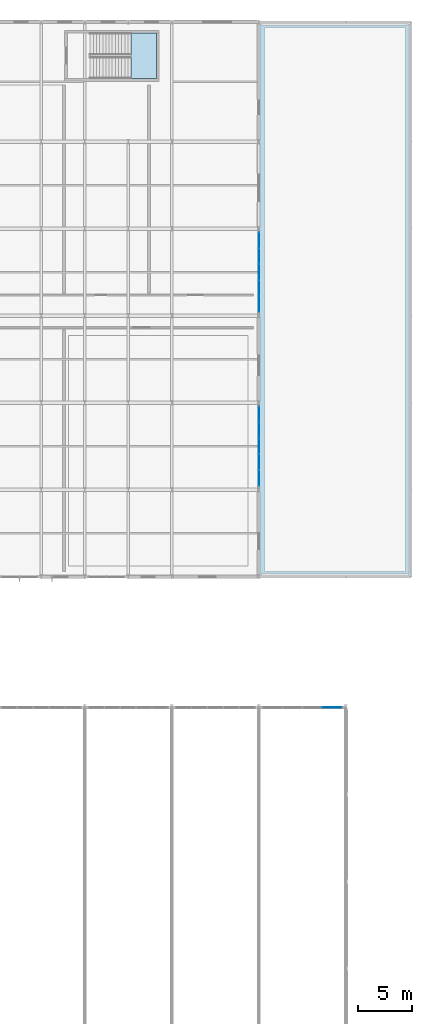
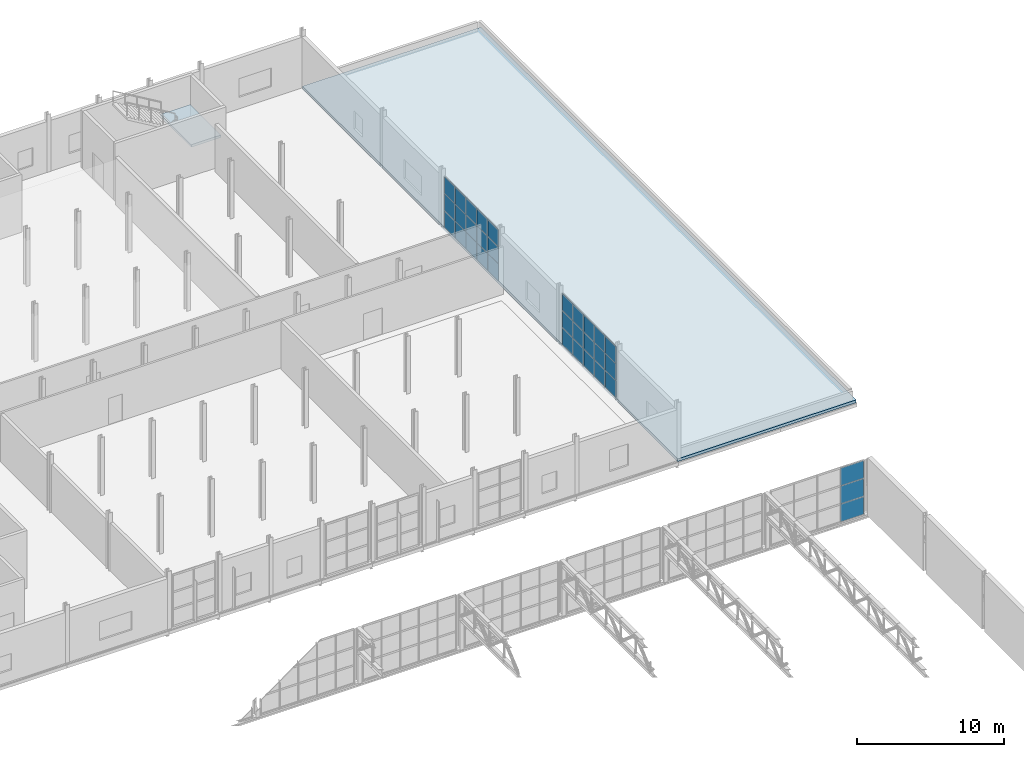
# One storey, part 117 of 143: 33 plates, 2 slabs, 4 elements without a shape of their own.
"""IFC4 building model written with IfcOpenShell, lengths in metres."""

from ifc_helpers import new_model, si_unit, derived_unit, direction, frame, origin, origin_2d, place, context, subcontext, project, spatial, polyline, rectangle, outline, extrude, material, layer, layer_set, type_object, element, aggregate, save


model = new_model("IFC4")

# Units and contexts
model_context = context("Model", 3, precision=1e-05, world=origin(), true_north=direction((0.0, 1.0)))
body_context = subcontext(model_context, "Body", "Model", "MODEL_VIEW")
ifc_project = project(units=[si_unit("LENGTHUNIT", "METRE"), si_unit("AREAUNIT", "SQUARE_METRE"), si_unit("VOLUMEUNIT", "CUBIC_METRE"), si_unit("PLANEANGLEUNIT", "RADIAN"), si_unit("MASSUNIT", "GRAM", prefix="KILO"), derived_unit("THERMALTRANSMITTANCEUNIT", [(si_unit("POWERUNIT", "WATT"), 1), (si_unit("LENGTHUNIT", "METRE"), -2), (si_unit("THERMODYNAMICTEMPERATUREUNIT", "KELVIN"), -1)])], contexts=[model_context])

# Site, building, storey
site_placement = place(None, origin())
site = spatial("IfcSite", under=ifc_project, at=site_placement, CompositionType="ELEMENT")
building_placement = place(site_placement, origin())
building = spatial("IfcBuilding", under=site, at=building_placement, Name="Keldorne Ridge Multi-Sports Centre", CompositionType="ELEMENT")
storey_placement = place(building_placement, frame((0.0, 0.0, 4.800048828125)))
storey = spatial("IfcBuildingStorey", under=building, at=storey_placement, Name="L01", CompositionType="ELEMENT", Elevation=4.800048828125)

# Curtain wall, plates
ifc_material_1 = material(Name="Anodized aluminium", Category="aluminium")
curtain_wall_type_1 = type_object("IfcCurtainWallType", Name="CW-CW-08", PredefinedType="NOTDEFINED", material=ifc_material_1)
curtain_wall_1_placement = place(storey_placement, origin())
curtain_wall_1 = element("IfcCurtainWall", 1, at=curtain_wall_1_placement, inside=storey, type_object=curtain_wall_type_1, Name="Lower Courts north clerestory 136", PredefinedType="NOTDEFINED")
ifc_material_2 = material(Name="Double low-e insulated glazing", Category="glass")
ifc_layer_1 = layer(ifc_material_2, 0.035888671875)
ifc_layer_set_1 = layer_set([ifc_layer_1])
plate_type = type_object("IfcPlateType", Name="PLT-GL-01", PredefinedType="CURTAIN_PANEL", material=ifc_layer_set_1)
plate_1_placement = place(storey_placement, frame((166.7451171875, 54.0, 0.02001953125), z_axis=(0.0, 0.0, 1.0), x_axis=(-1.0, 0.0, 0.0)))
plate_1 = element("IfcPlate", 2, at=plate_1_placement, type_object=plate_type, Name="CW-136 glazed panel 1.1", PredefinedType="CURTAIN_PANEL", context=body_context, shape_type="SweptSolid", body=[
    extrude(rectangle(XDim=1.7900390625, YDim=0.035888671875, at=origin_2d()), origin(), (0.0, 0.0, 1.0), 1.4599609375),
])
plate_2_placement = place(storey_placement, frame((166.7451171875, 54.0, 1.52001953125), z_axis=(0.0, 0.0, 1.0), x_axis=(-1.0, 0.0, 0.0)))
plate_2 = element("IfcPlate", 3, at=plate_2_placement, type_object=plate_type, Name="CW-136 glazed panel 1.2", PredefinedType="CURTAIN_PANEL", context=body_context, shape_type="SweptSolid", body=[
    extrude(rectangle(XDim=1.7900390625, YDim=0.035888671875, at=origin_2d()), origin(), (0.0, 0.0, 1.0), 1.4599609375),
])
plate_3_placement = place(storey_placement, frame((166.7451171875, 54.0, 3.02001953125), z_axis=(0.0, 0.0, 1.0), x_axis=(-1.0, 0.0, 0.0)))
plate_3 = element("IfcPlate", 4, at=plate_3_placement, type_object=plate_type, Name="CW-136 glazed panel 1.3", PredefinedType="CURTAIN_PANEL", context=body_context, shape_type="SweptSolid", body=[
    extrude(rectangle(XDim=1.7900390625, YDim=0.035888671875, at=origin_2d()), origin(), (0.0, 0.0, 1.0), 1.4599609375),
])
aggregate(curtain_wall_1, [plate_1, plate_2, plate_3])

curtain_wall_type_2 = type_object("IfcCurtainWallType", Name="CW-CW-01", PredefinedType="NOTDEFINED", material=ifc_material_1)
curtain_wall_2_placement = place(storey_placement, origin())
curtain_wall_2 = element("IfcCurtainWall", 5, at=curtain_wall_2_placement, inside=storey, type_object=curtain_wall_type_2, Name="East Wing L01 east curtain wall 145", PredefinedType="NOTDEFINED")
plate_4_placement = place(storey_placement, frame((160.0, 75.072021484375, 0.02001953125), z_axis=(0.0, 0.0, 1.0), x_axis=(0.0, 1.0, 0.0)))
plate_4 = element("IfcPlate", 6, at=plate_4_placement, type_object=plate_type, Name="CW-145 glazed panel 1.1", PredefinedType="CURTAIN_PANEL", context=body_context, shape_type="SweptSolid", body=[
    extrude(rectangle(XDim=1.424072265625, YDim=0.035888671875, at=origin_2d()), origin(), (0.0, 0.0, 1.0), 1.376708984375),
])
plate_5_placement = place(storey_placement, frame((160.0, 75.072021484375, 1.4365234375), z_axis=(0.0, 0.0, 1.0), x_axis=(0.0, 1.0, 0.0)))
plate_5 = element("IfcPlate", 7, at=plate_5_placement, type_object=plate_type, Name="CW-145 glazed panel 1.2", PredefinedType="CURTAIN_PANEL", context=body_context, shape_type="SweptSolid", body=[
    extrude(rectangle(XDim=1.424072265625, YDim=0.035888671875, at=origin_2d()), origin(), (0.0, 0.0, 1.0), 1.376708984375),
])
plate_6_placement = place(storey_placement, frame((160.0, 75.072021484375, 2.853515625), z_axis=(0.0, 0.0, 1.0), x_axis=(0.0, 1.0, 0.0)))
plate_6 = element("IfcPlate", 8, at=plate_6_placement, type_object=plate_type, Name="CW-145 glazed panel 1.3", PredefinedType="CURTAIN_PANEL", context=body_context, shape_type="SweptSolid", body=[
    extrude(rectangle(XDim=1.424072265625, YDim=0.035888671875, at=origin_2d()), origin(), (0.0, 0.0, 1.0), 1.376708984375),
])
plate_7_placement = place(storey_placement, frame((160.0, 76.535888671875, 0.02001953125), z_axis=(0.0, 0.0, 1.0), x_axis=(0.0, 1.0, 0.0)))
plate_7 = element("IfcPlate", 9, at=plate_7_placement, type_object=plate_type, Name="CW-145 glazed panel 2.1", PredefinedType="CURTAIN_PANEL", context=body_context, shape_type="SweptSolid", body=[
    extrude(rectangle(XDim=1.424072265625, YDim=0.035888671875, at=origin_2d()), origin(), (0.0, 0.0, 1.0), 1.376708984375),
])
plate_8_placement = place(storey_placement, frame((160.0, 76.535888671875, 1.4365234375), z_axis=(0.0, 0.0, 1.0), x_axis=(0.0, 1.0, 0.0)))
plate_8 = element("IfcPlate", 10, at=plate_8_placement, type_object=plate_type, Name="CW-145 glazed panel 2.2", PredefinedType="CURTAIN_PANEL", context=body_context, shape_type="SweptSolid", body=[
    extrude(rectangle(XDim=1.424072265625, YDim=0.035888671875, at=origin_2d()), origin(), (0.0, 0.0, 1.0), 1.376708984375),
])
plate_9_placement = place(storey_placement, frame((160.0, 76.535888671875, 2.853515625), z_axis=(0.0, 0.0, 1.0), x_axis=(0.0, 1.0, 0.0)))
plate_9 = element("IfcPlate", 11, at=plate_9_placement, type_object=plate_type, Name="CW-145 glazed panel 2.3", PredefinedType="CURTAIN_PANEL", context=body_context, shape_type="SweptSolid", body=[
    extrude(rectangle(XDim=1.424072265625, YDim=0.035888671875, at=origin_2d()), origin(), (0.0, 0.0, 1.0), 1.376708984375),
])
plate_10_placement = place(storey_placement, frame((160.0, 78.0, 0.02001953125), z_axis=(0.0, 0.0, 1.0), x_axis=(0.0, 1.0, 0.0)))
plate_10 = element("IfcPlate", 12, at=plate_10_placement, type_object=plate_type, Name="CW-145 glazed panel 3.1", PredefinedType="CURTAIN_PANEL", context=body_context, shape_type="SweptSolid", body=[
    extrude(rectangle(XDim=1.424072265625, YDim=0.035888671875, at=origin_2d()), origin(), (0.0, 0.0, 1.0), 1.376708984375),
])
plate_11_placement = place(storey_placement, frame((160.0, 78.0, 1.4365234375), z_axis=(0.0, 0.0, 1.0), x_axis=(0.0, 1.0, 0.0)))
plate_11 = element("IfcPlate", 13, at=plate_11_placement, type_object=plate_type, Name="CW-145 glazed panel 3.2", PredefinedType="CURTAIN_PANEL", context=body_context, shape_type="SweptSolid", body=[
    extrude(rectangle(XDim=1.424072265625, YDim=0.035888671875, at=origin_2d()), origin(), (0.0, 0.0, 1.0), 1.376708984375),
])
plate_12_placement = place(storey_placement, frame((160.0, 78.0, 2.853515625), z_axis=(0.0, 0.0, 1.0), x_axis=(0.0, 1.0, 0.0)))
plate_12 = element("IfcPlate", 14, at=plate_12_placement, type_object=plate_type, Name="CW-145 glazed panel 3.3", PredefinedType="CURTAIN_PANEL", context=body_context, shape_type="SweptSolid", body=[
    extrude(rectangle(XDim=1.424072265625, YDim=0.035888671875, at=origin_2d()), origin(), (0.0, 0.0, 1.0), 1.376708984375),
])
plate_13_placement = place(storey_placement, frame((160.0, 79.464111328125, 0.02001953125), z_axis=(0.0, 0.0, 1.0), x_axis=(0.0, 1.0, 0.0)))
plate_13 = element("IfcPlate", 15, at=plate_13_placement, type_object=plate_type, Name="CW-145 glazed panel 4.1", PredefinedType="CURTAIN_PANEL", context=body_context, shape_type="SweptSolid", body=[
    extrude(rectangle(XDim=1.424072265625, YDim=0.035888671875, at=origin_2d()), origin(), (0.0, 0.0, 1.0), 1.376708984375),
])
plate_14_placement = place(storey_placement, frame((160.0, 79.464111328125, 1.4365234375), z_axis=(0.0, 0.0, 1.0), x_axis=(0.0, 1.0, 0.0)))
plate_14 = element("IfcPlate", 16, at=plate_14_placement, type_object=plate_type, Name="CW-145 glazed panel 4.2", PredefinedType="CURTAIN_PANEL", context=body_context, shape_type="SweptSolid", body=[
    extrude(rectangle(XDim=1.424072265625, YDim=0.035888671875, at=origin_2d()), origin(), (0.0, 0.0, 1.0), 1.376708984375),
])
plate_15_placement = place(storey_placement, frame((160.0, 79.464111328125, 2.853515625), z_axis=(0.0, 0.0, 1.0), x_axis=(0.0, 1.0, 0.0)))
plate_15 = element("IfcPlate", 17, at=plate_15_placement, type_object=plate_type, Name="CW-145 glazed panel 4.3", PredefinedType="CURTAIN_PANEL", context=body_context, shape_type="SweptSolid", body=[
    extrude(rectangle(XDim=1.424072265625, YDim=0.035888671875, at=origin_2d()), origin(), (0.0, 0.0, 1.0), 1.376708984375),
])
plate_16_placement = place(storey_placement, frame((160.0, 80.927978515625, 0.02001953125), z_axis=(0.0, 0.0, 1.0), x_axis=(0.0, 1.0, 0.0)))
plate_16 = element("IfcPlate", 18, at=plate_16_placement, type_object=plate_type, Name="CW-145 glazed panel 5.1", PredefinedType="CURTAIN_PANEL", context=body_context, shape_type="SweptSolid", body=[
    extrude(rectangle(XDim=1.424072265625, YDim=0.035888671875, at=origin_2d()), origin(), (0.0, 0.0, 1.0), 1.376708984375),
])
plate_17_placement = place(storey_placement, frame((160.0, 80.927978515625, 1.4365234375), z_axis=(0.0, 0.0, 1.0), x_axis=(0.0, 1.0, 0.0)))
plate_17 = element("IfcPlate", 19, at=plate_17_placement, type_object=plate_type, Name="CW-145 glazed panel 5.2", PredefinedType="CURTAIN_PANEL", context=body_context, shape_type="SweptSolid", body=[
    extrude(rectangle(XDim=1.424072265625, YDim=0.035888671875, at=origin_2d()), origin(), (0.0, 0.0, 1.0), 1.376708984375),
])
plate_18_placement = place(storey_placement, frame((160.0, 80.927978515625, 2.853515625), z_axis=(0.0, 0.0, 1.0), x_axis=(0.0, 1.0, 0.0)))
plate_18 = element("IfcPlate", 20, at=plate_18_placement, type_object=plate_type, Name="CW-145 glazed panel 5.3", PredefinedType="CURTAIN_PANEL", context=body_context, shape_type="SweptSolid", body=[
    extrude(rectangle(XDim=1.424072265625, YDim=0.035888671875, at=origin_2d()), origin(), (0.0, 0.0, 1.0), 1.376708984375),
])
aggregate(curtain_wall_2, [plate_4, plate_5, plate_6, plate_7, plate_8, plate_9, plate_10, plate_11, plate_12, plate_13, plate_14, plate_15, plate_16, plate_17, plate_18])

curtain_wall_type_3 = type_object("IfcCurtainWallType", Name="CW-CW-02", PredefinedType="NOTDEFINED", material=ifc_material_1)
curtain_wall_3_placement = place(storey_placement, origin())
curtain_wall_3 = element("IfcCurtainWall", 21, at=curtain_wall_3_placement, inside=storey, type_object=curtain_wall_type_3, Name="East Wing L01 east curtain wall 146", PredefinedType="NOTDEFINED")
plate_19_placement = place(storey_placement, frame((160.0, 91.072021484375, 0.02001953125), z_axis=(0.0, 0.0, 1.0), x_axis=(0.0, 1.0, 0.0)))
plate_19 = element("IfcPlate", 22, at=plate_19_placement, type_object=plate_type, Name="CW-146 glazed panel 1.1", PredefinedType="CURTAIN_PANEL", context=body_context, shape_type="SweptSolid", body=[
    extrude(rectangle(XDim=1.424072265625, YDim=0.035888671875, at=origin_2d()), origin(), (0.0, 0.0, 1.0), 1.376708984375),
])
plate_20_placement = place(storey_placement, frame((160.0, 91.072021484375, 1.4365234375), z_axis=(0.0, 0.0, 1.0), x_axis=(0.0, 1.0, 0.0)))
plate_20 = element("IfcPlate", 23, at=plate_20_placement, type_object=plate_type, Name="CW-146 glazed panel 1.2", PredefinedType="CURTAIN_PANEL", context=body_context, shape_type="SweptSolid", body=[
    extrude(rectangle(XDim=1.424072265625, YDim=0.035888671875, at=origin_2d()), origin(), (0.0, 0.0, 1.0), 1.376708984375),
])
plate_21_placement = place(storey_placement, frame((160.0, 91.072021484375, 2.853515625), z_axis=(0.0, 0.0, 1.0), x_axis=(0.0, 1.0, 0.0)))
plate_21 = element("IfcPlate", 24, at=plate_21_placement, type_object=plate_type, Name="CW-146 glazed panel 1.3", PredefinedType="CURTAIN_PANEL", context=body_context, shape_type="SweptSolid", body=[
    extrude(rectangle(XDim=1.424072265625, YDim=0.035888671875, at=origin_2d()), origin(), (0.0, 0.0, 1.0), 1.376708984375),
])
plate_22_placement = place(storey_placement, frame((160.0, 92.535888671875, 0.02001953125), z_axis=(0.0, 0.0, 1.0), x_axis=(0.0, 1.0, 0.0)))
plate_22 = element("IfcPlate", 25, at=plate_22_placement, type_object=plate_type, Name="CW-146 glazed panel 2.1", PredefinedType="CURTAIN_PANEL", context=body_context, shape_type="SweptSolid", body=[
    extrude(rectangle(XDim=1.424072265625, YDim=0.035888671875, at=origin_2d()), origin(), (0.0, 0.0, 1.0), 1.376708984375),
])
plate_23_placement = place(storey_placement, frame((160.0, 92.535888671875, 1.4365234375), z_axis=(0.0, 0.0, 1.0), x_axis=(0.0, 1.0, 0.0)))
plate_23 = element("IfcPlate", 26, at=plate_23_placement, type_object=plate_type, Name="CW-146 glazed panel 2.2", PredefinedType="CURTAIN_PANEL", context=body_context, shape_type="SweptSolid", body=[
    extrude(rectangle(XDim=1.424072265625, YDim=0.035888671875, at=origin_2d()), origin(), (0.0, 0.0, 1.0), 1.376708984375),
])
plate_24_placement = place(storey_placement, frame((160.0, 92.535888671875, 2.853515625), z_axis=(0.0, 0.0, 1.0), x_axis=(0.0, 1.0, 0.0)))
plate_24 = element("IfcPlate", 27, at=plate_24_placement, type_object=plate_type, Name="CW-146 glazed panel 2.3", PredefinedType="CURTAIN_PANEL", context=body_context, shape_type="SweptSolid", body=[
    extrude(rectangle(XDim=1.424072265625, YDim=0.035888671875, at=origin_2d()), origin(), (0.0, 0.0, 1.0), 1.376708984375),
])
plate_25_placement = place(storey_placement, frame((160.0, 94.0, 0.02001953125), z_axis=(0.0, 0.0, 1.0), x_axis=(0.0, 1.0, 0.0)))
plate_25 = element("IfcPlate", 28, at=plate_25_placement, type_object=plate_type, Name="CW-146 glazed panel 3.1", PredefinedType="CURTAIN_PANEL", context=body_context, shape_type="SweptSolid", body=[
    extrude(rectangle(XDim=1.424072265625, YDim=0.035888671875, at=origin_2d()), origin(), (0.0, 0.0, 1.0), 1.376708984375),
])
plate_26_placement = place(storey_placement, frame((160.0, 94.0, 1.4365234375), z_axis=(0.0, 0.0, 1.0), x_axis=(0.0, 1.0, 0.0)))
plate_26 = element("IfcPlate", 29, at=plate_26_placement, type_object=plate_type, Name="CW-146 glazed panel 3.2", PredefinedType="CURTAIN_PANEL", context=body_context, shape_type="SweptSolid", body=[
    extrude(rectangle(XDim=1.424072265625, YDim=0.035888671875, at=origin_2d()), origin(), (0.0, 0.0, 1.0), 1.376708984375),
])
plate_27_placement = place(storey_placement, frame((160.0, 94.0, 2.853515625), z_axis=(0.0, 0.0, 1.0), x_axis=(0.0, 1.0, 0.0)))
plate_27 = element("IfcPlate", 30, at=plate_27_placement, type_object=plate_type, Name="CW-146 glazed panel 3.3", PredefinedType="CURTAIN_PANEL", context=body_context, shape_type="SweptSolid", body=[
    extrude(rectangle(XDim=1.424072265625, YDim=0.035888671875, at=origin_2d()), origin(), (0.0, 0.0, 1.0), 1.376708984375),
])
plate_28_placement = place(storey_placement, frame((160.0, 95.464111328125, 0.02001953125), z_axis=(0.0, 0.0, 1.0), x_axis=(0.0, 1.0, 0.0)))
plate_28 = element("IfcPlate", 31, at=plate_28_placement, type_object=plate_type, Name="CW-146 glazed panel 4.1", PredefinedType="CURTAIN_PANEL", context=body_context, shape_type="SweptSolid", body=[
    extrude(rectangle(XDim=1.424072265625, YDim=0.035888671875, at=origin_2d()), origin(), (0.0, 0.0, 1.0), 1.376708984375),
])
plate_29_placement = place(storey_placement, frame((160.0, 95.464111328125, 1.4365234375), z_axis=(0.0, 0.0, 1.0), x_axis=(0.0, 1.0, 0.0)))
plate_29 = element("IfcPlate", 32, at=plate_29_placement, type_object=plate_type, Name="CW-146 glazed panel 4.2", PredefinedType="CURTAIN_PANEL", context=body_context, shape_type="SweptSolid", body=[
    extrude(rectangle(XDim=1.424072265625, YDim=0.035888671875, at=origin_2d()), origin(), (0.0, 0.0, 1.0), 1.376708984375),
])
plate_30_placement = place(storey_placement, frame((160.0, 95.464111328125, 2.853515625), z_axis=(0.0, 0.0, 1.0), x_axis=(0.0, 1.0, 0.0)))
plate_30 = element("IfcPlate", 33, at=plate_30_placement, type_object=plate_type, Name="CW-146 glazed panel 4.3", PredefinedType="CURTAIN_PANEL", context=body_context, shape_type="SweptSolid", body=[
    extrude(rectangle(XDim=1.424072265625, YDim=0.035888671875, at=origin_2d()), origin(), (0.0, 0.0, 1.0), 1.376708984375),
])
plate_31_placement = place(storey_placement, frame((160.0, 96.927978515625, 0.02001953125), z_axis=(0.0, 0.0, 1.0), x_axis=(0.0, 1.0, 0.0)))
plate_31 = element("IfcPlate", 34, at=plate_31_placement, type_object=plate_type, Name="CW-146 glazed panel 5.1", PredefinedType="CURTAIN_PANEL", context=body_context, shape_type="SweptSolid", body=[
    extrude(rectangle(XDim=1.424072265625, YDim=0.035888671875, at=origin_2d()), origin(), (0.0, 0.0, 1.0), 1.376708984375),
])
plate_32_placement = place(storey_placement, frame((160.0, 96.927978515625, 1.4365234375), z_axis=(0.0, 0.0, 1.0), x_axis=(0.0, 1.0, 0.0)))
plate_32 = element("IfcPlate", 35, at=plate_32_placement, type_object=plate_type, Name="CW-146 glazed panel 5.2", PredefinedType="CURTAIN_PANEL", context=body_context, shape_type="SweptSolid", body=[
    extrude(rectangle(XDim=1.424072265625, YDim=0.035888671875, at=origin_2d()), origin(), (0.0, 0.0, 1.0), 1.376708984375),
])
plate_33_placement = place(storey_placement, frame((160.0, 96.927978515625, 2.853515625), z_axis=(0.0, 0.0, 1.0), x_axis=(0.0, 1.0, 0.0)))
plate_33 = element("IfcPlate", 36, at=plate_33_placement, type_object=plate_type, Name="CW-146 glazed panel 5.3", PredefinedType="CURTAIN_PANEL", context=body_context, shape_type="SweptSolid", body=[
    extrude(rectangle(XDim=1.424072265625, YDim=0.035888671875, at=origin_2d()), origin(), (0.0, 0.0, 1.0), 1.376708984375),
])
aggregate(curtain_wall_3, [plate_19, plate_20, plate_21, plate_22, plate_23, plate_24, plate_25, plate_26, plate_27, plate_28, plate_29, plate_30, plate_31, plate_32, plate_33])

# Stair, slab
ifc_material_3 = material(Name="Concrete C35/45", Category="concrete")
stair_type = type_object("IfcStairType", Name="STR-S01", PredefinedType="HALF_TURN_STAIR", material=ifc_material_3)
stair_placement = place(storey_placement, origin())
stair = element("IfcStair", 37, at=stair_placement, inside=storey, type_object=stair_type, Name="L01 East Wing Studio Core C3", PredefinedType="HALF_TURN_STAIR")
ifc_layer_2 = layer(ifc_material_3, 0.199951171875)
ifc_layer_set_2 = layer_set([ifc_layer_2], Name="Concrete C35/45")
slab_type_1 = type_object("IfcSlabType", Name="SLB-LDG-01", PredefinedType="LANDING", material=ifc_layer_set_2)
slab_1_placement = place(storey_placement, frame((0.0, 0.0, 2.199951171875)))
slab_1 = element("IfcSlab", 38, at=slab_1_placement, type_object=slab_type_1, Name="ST-03 landing 1", PredefinedType="LANDING", context=body_context, shape_type="SweptSolid", body=[
    extrude(outline(polyline([(148.27001953125, 111.800048828125), (150.60009765625, 111.800048828125), (150.60009765625, 115.97998046875), (148.27001953125, 115.97998046875), (148.27001953125, 111.800048828125)])), origin(), (0.0, 0.0, 1.0), 0.199951171875),
])
aggregate(stair, [slab_1])

# Slab
ifc_layer_3 = layer(ifc_material_3, 0.22998046875)
ifc_layer_set_3 = layer_set([ifc_layer_3], Name="Concrete C35/45")
slab_type_2 = type_object("IfcSlabType", Name="SLB-SL-R01", PredefinedType="ROOF", material=ifc_layer_set_3)
slab_2_placement = place(storey_placement, frame((0.0, 0.0, -0.22998046875)))
element("IfcSlab", 39, at=slab_2_placement, inside=storey, type_object=slab_type_2, Name="First floor East Loading green roof slab", PredefinedType="ROOF", context=body_context, shape_type="SweptSolid", body=[
    extrude(outline(polyline([(160.0, 66.0), (174.0, 66.0), (174.0, 117.0), (160.0, 117.0), (160.0, 66.0)])), origin(), (0.0, 0.0, 1.0), 0.22998046875),
])

save(model, "model.ifc")
